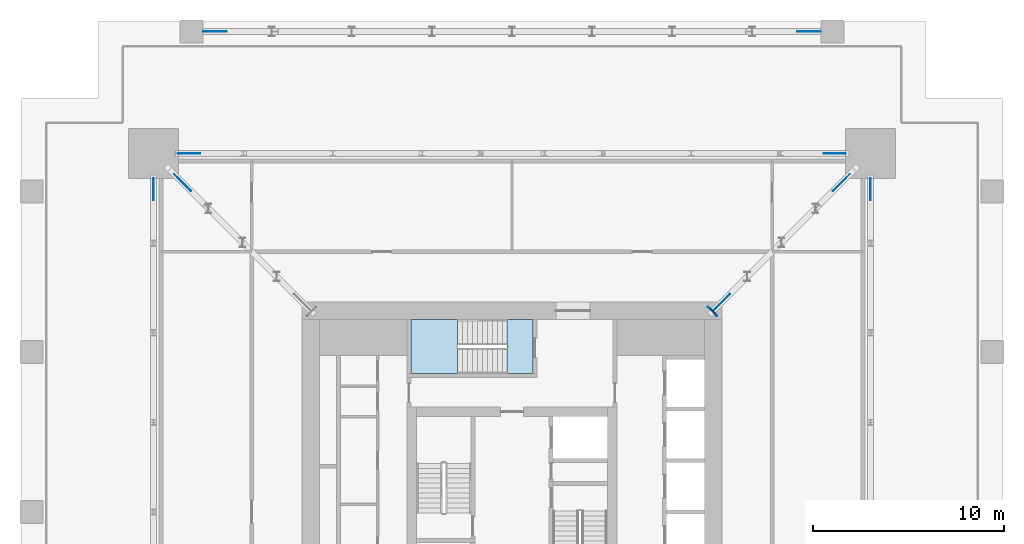
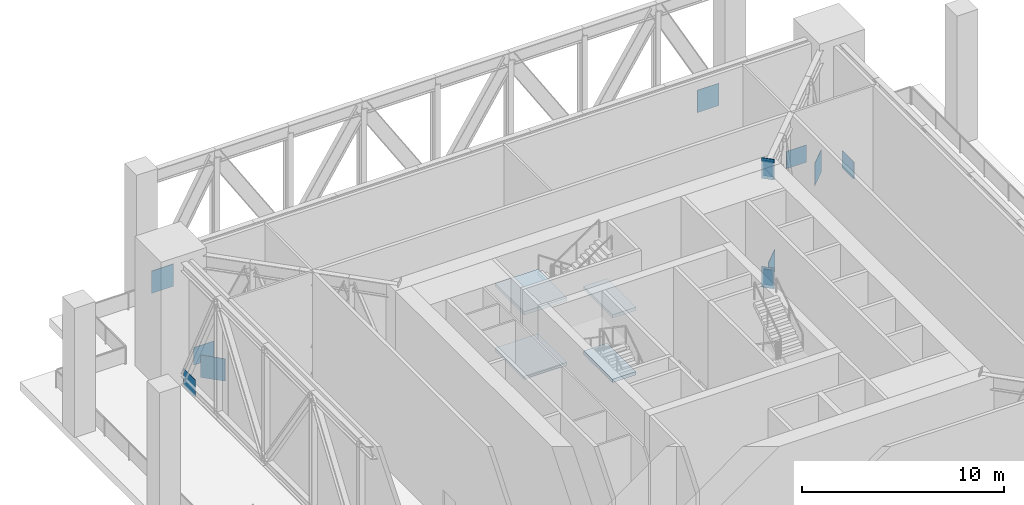
# One storey, part 9 of 17: 13 plates, 4 slabs, 1 element without a shape of its own.
"""IFC4 building model written with IfcOpenShell, lengths in metres."""

from ifc_helpers import new_model, si_unit, direction, frame, origin, origin_2d, place, context, subcontext, project, spatial, polyline, rectangle, outline, extrude, material, layer, layer_set, type_object, element, aggregate, save


model = new_model("IFC4")

# Units and contexts
model_context = context("Model", 3, precision=1e-05, world=origin(), true_north=direction((0.0, 1.0)))
body_context = subcontext(model_context, "Body", "Model", "MODEL_VIEW")
ifc_project = project(units=[si_unit("LENGTHUNIT", "METRE"), si_unit("AREAUNIT", "SQUARE_METRE"), si_unit("VOLUMEUNIT", "CUBIC_METRE"), si_unit("PLANEANGLEUNIT", "RADIAN"), si_unit("MASSUNIT", "GRAM", prefix="KILO")], contexts=[model_context])

# Site, building, storey
site_placement = place(None, origin())
site = spatial("IfcSite", under=ifc_project, at=site_placement, CompositionType="ELEMENT")
building_placement = place(site_placement, origin())
building = spatial("IfcBuilding", under=site, at=building_placement, Name="Khepri Terraces", CompositionType="ELEMENT")
storey_placement = place(building_placement, frame((0.0, 0.0, 180.60009765625)))
storey = spatial("IfcBuildingStorey", under=building, at=storey_placement, Name="L43", CompositionType="ELEMENT", Elevation=180.60009765625)

# Plates
ifc_material_1 = material(Name="Steel S355", Category="steel")
ifc_layer_1 = layer(ifc_material_1, 0.030029296875, Name="Steel S355", Category="steel")
ifc_layer_set_1 = layer_set([ifc_layer_1], Name="Steel S355")
plate_type_1 = type_object("IfcPlateType", Name="Cast-in plate 1250x650x30", PredefinedType="USERDEFINED", material=ifc_layer_set_1)
for number, where, z_axis, x_axis, name in (
    (1, (10.5146484375, 10.5146484375, -0.218017578125), (0.0, 0.0, 1.0), (0.707106781187, 0.707106781187, 0.0), "CAST-IN PLATE OT-43-EN BOT wall A"),
    (2, (10.5146484375, 10.5146484375, 6.347900390625), (0.0, 0.0, 1.0), (0.707106781187, 0.707106781187, 0.0), "CAST-IN PLATE OT-43-EN TOP wall A"),
):
    element("IfcPlate", number, at=place(storey_placement, frame(where, z_axis=z_axis, x_axis=x_axis)), inside=storey, type_object=plate_type_1, Name=name, ObjectType="CAST-IN PLATE", PredefinedType="USERDEFINED", context=body_context, shape_type="SweptSolid", body=[
        extrude(rectangle(XDim=0.030029296875, YDim=0.64990234375, at=origin_2d()), origin(), (0.0, 0.0, 1.0), 1.25),
    ])
ifc_layer_2 = layer(ifc_material_1, 0.034912109375, Name="Steel S355", Category="steel")
ifc_layer_set_2 = layer_set([ifc_layer_2], Name="Steel S355")
plate_type_2 = type_object("IfcPlateType", Name="End plate 950x450x35", PredefinedType="USERDEFINED", material=ifc_layer_set_2)
for number, where, z_axis, x_axis, name in (
    (3, (10.53759765625, 10.53759765625, -0.06787109375), (0.0, 0.0, 1.0), (0.707106781187, 0.707106781187, 0.0), "END PLATE OT-43-EN BOT end A"),
    (4, (10.53759765625, 10.53759765625, 6.498046875), (0.0, 0.0, 1.0), (0.707106781187, 0.707106781187, 0.0), "END PLATE OT-43-EN TOP end A"),
):
    element("IfcPlate", number, at=place(storey_placement, frame(where, z_axis=z_axis, x_axis=x_axis)), inside=storey, type_object=plate_type_2, Name=name, ObjectType="END PLATE", PredefinedType="USERDEFINED", context=body_context, shape_type="SweptSolid", body=[
        extrude(rectangle(XDim=0.034912109375, YDim=0.449951171875, at=origin_2d()), origin(), (0.0, 0.0, 1.0), 0.949951171875),
    ])
ifc_layer_3 = layer(ifc_material_1, 0.02490234375, Name="Steel S355", Category="steel")
ifc_layer_set_3 = layer_set([ifc_layer_3], Name="Steel S355")
plate_type_3 = type_object("IfcPlateType", Name="Gusset plate 1150x1050x25", PredefinedType="USERDEFINED", material=ifc_layer_set_3)
for number, where, z_axis, x_axis, name in (
    (5, (18.800048828125, 16.925048828125, -0.10009765625), (0.0, 0.0, 1.0), (0.0, 1.0, 0.0), "GUSSET PLATE BT-43-E column node B"),
    (6, (16.925048828125, 18.800048828125, -0.10009765625), (0.0, 0.0, 1.0), (-1.0, 0.0, 0.0), "GUSSET PLATE BT-43-N column node A"),
    (7, (-16.925048828125, 18.800048828125, -0.10009765625), (0.0, 0.0, 1.0), (-1.0, 0.0, 0.0), "GUSSET PLATE BT-43-N column node B"),
    (8, (-18.800048828125, 16.925048828125, -0.10009765625), (0.0, 0.0, 1.0), (0.0, -1.0, 0.0), "GUSSET PLATE BT-43-W column node A"),
):
    element("IfcPlate", number, at=place(storey_placement, frame(where, z_axis=z_axis, x_axis=x_axis)), inside=storey, type_object=plate_type_3, Name=name, ObjectType="GUSSET PLATE", PredefinedType="USERDEFINED", context=body_context, shape_type="SweptSolid", body=[
        extrude(rectangle(XDim=1.14990234375, YDim=0.02490234375, at=origin_2d()), origin(), (0.0, 0.0, 1.0), 1.050048828125),
    ])
ifc_layer_4 = layer(ifc_material_1, 0.030029296875, Name="Steel S355", Category="steel")
ifc_layer_set_4 = layer_set([ifc_layer_4], Name="Steel S355")
plate_type_4 = type_object("IfcPlateType", Name="Gusset plate 1250x1350x30", PredefinedType="USERDEFINED", material=ifc_layer_set_4)
for number, where, z_axis, x_axis, name in (
    (9, (10.991943359375, 10.991943359375, -0.10009765625), (0.0, 0.0, 1.0), (0.707106781187, 0.707106781187, 0.0), "GUSSET PLATE OT-43-EN node A"),
    (10, (17.270263671875, 17.270263671875, -0.10009765625), (0.0, 0.0, 1.0), (0.707106781187, 0.707106781187, 0.0), "GUSSET PLATE OT-43-EN column node B"),
    (11, (-17.270263671875, 17.270263671875, -0.10009765625), (0.0, 0.0, 1.0), (-0.707106781187, 0.707106781187, 0.0), "GUSSET PLATE OT-43-WN column node B"),
    (12, (15.574951171875, 25.199951171875, -0.10009765625), (0.0, 0.0, 1.0), (-1.0, 0.0, 0.0), "GUSSET PLATE TT-43-N column node A"),
    (13, (-15.574951171875, 25.199951171875, -0.10009765625), (0.0, 0.0, 1.0), (-1.0, 0.0, 0.0), "GUSSET PLATE TT-43-N column node B"),
):
    element("IfcPlate", number, at=place(storey_placement, frame(where, z_axis=z_axis, x_axis=x_axis)), inside=storey, type_object=plate_type_4, Name=name, ObjectType="GUSSET PLATE", PredefinedType="USERDEFINED", context=body_context, shape_type="SweptSolid", body=[
        extrude(rectangle(XDim=1.25, YDim=0.030029296875, at=origin_2d()), origin(), (0.0, 0.0, 1.0), 1.35009765625),
    ])

# Stair, slabs
ifc_material_2 = material(Name="Concrete C40/50", Category="concrete")
stair_type = type_object("IfcStairType", Name="STAIR-RC-44R", PredefinedType="HALF_TURN_STAIR", material=ifc_material_2)
stair_placement = place(storey_placement, origin())
stair = element("IfcStair", 14, at=stair_placement, inside=storey, type_object=stair_type, Name="L43 Exit Stair ST-3", PredefinedType="HALF_TURN_STAIR")
ifc_layer_5 = layer(ifc_material_2, 0.199951171875, Name="Concrete C40/50", Category="concrete")
ifc_layer_set_5 = layer_set([ifc_layer_5], Name="Concrete C40/50")
slab_type = type_object("IfcSlabType", Name="SLB-CORE-LANDING", PredefinedType="LANDING", material=ifc_layer_set_5)
slab_1_placement = place(storey_placement, frame((0.0, 0.0, -0.2001953125)))
slab_1 = element("IfcSlab", 15, at=slab_1_placement, type_object=slab_type, Name="ST-3 landing 1", PredefinedType="LANDING", context=body_context, shape_type="SweptSolid", body=[
    extrude(outline(polyline([(1.10009765625, 10.10009765625), (-0.25, 10.10009765625), (-0.25, 7.25), (1.10009765625, 7.25), (1.10009765625, 10.10009765625)])), origin(), (0.0, 0.0, 1.0), 0.2001953125),
])
slab_2_placement = place(storey_placement, frame((0.0, 0.0, 1.75)))
slab_2 = element("IfcSlab", 16, at=slab_2_placement, type_object=slab_type, Name="ST-3 landing 2", PredefinedType="LANDING", context=body_context, shape_type="SweptSolid", body=[
    extrude(outline(polyline([(-2.85009765625, 10.10009765625), (-5.300048828125, 10.10009765625), (-5.300048828125, 7.25), (-2.85009765625, 7.25), (-2.85009765625, 10.10009765625)])), origin(), (0.0, 0.0, 1.0), 0.199951171875),
])
slab_3_placement = place(storey_placement, frame((0.0, 0.0, 3.699951171875)))
slab_3 = element("IfcSlab", 17, at=slab_3_placement, type_object=slab_type, Name="ST-3 landing 3", PredefinedType="LANDING", context=body_context, shape_type="SweptSolid", body=[
    extrude(outline(polyline([(1.10009765625, 10.10009765625), (-0.25, 10.10009765625), (-0.25, 7.25), (1.10009765625, 7.25), (1.10009765625, 10.10009765625)])), origin(), (0.0, 0.0, 1.0), 0.199951171875),
])
slab_4_placement = place(storey_placement, frame((0.0, 0.0, 5.64990234375)))
slab_4 = element("IfcSlab", 18, at=slab_4_placement, type_object=slab_type, Name="ST-3 landing 4", PredefinedType="LANDING", context=body_context, shape_type="SweptSolid", body=[
    extrude(outline(polyline([(-2.85009765625, 10.10009765625), (-5.300048828125, 10.10009765625), (-5.300048828125, 7.25), (-2.85009765625, 7.25), (-2.85009765625, 10.10009765625)])), origin(), (0.0, 0.0, 1.0), 0.199951171875),
])
aggregate(stair, [slab_1, slab_2, slab_3, slab_4])

save(model, "model.ifc")
